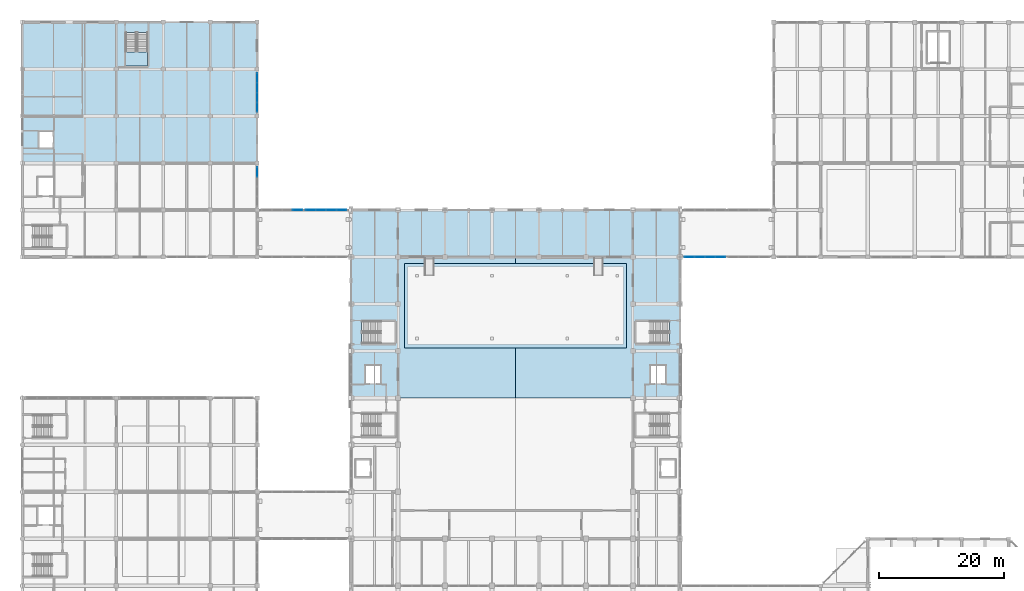
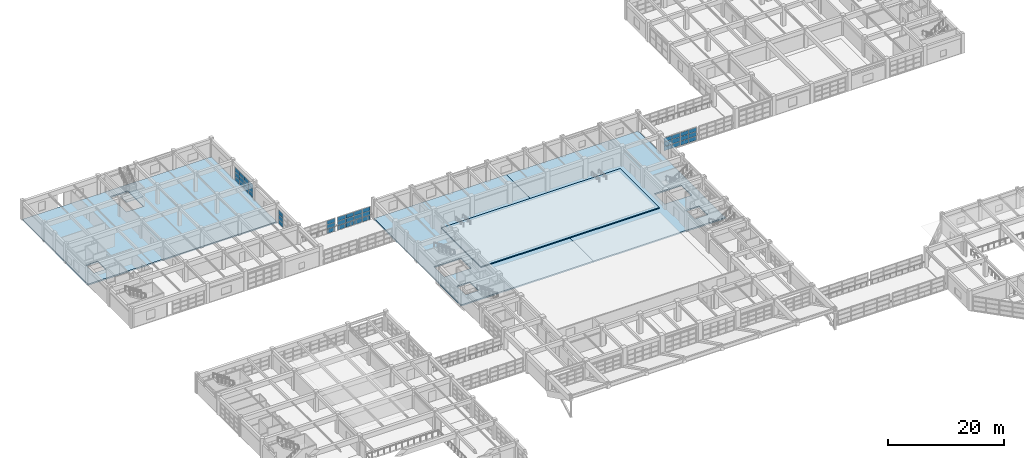
# One storey, part 89 of 132: 42 plates, 5 slabs, 6 elements without a shape of their own.
"""IFC4 building model written with IfcOpenShell, lengths in metres."""

from ifc_helpers import new_model, si_unit, direction, frame, origin, origin_2d, place, context, subcontext, project, spatial, polyline, rectangle, outline, extrude, material, layer, layer_set, type_object, element, aggregate, save


model = new_model("IFC4")

# Units and contexts
model_context = context("Model", 3, precision=1e-05, world=origin(), true_north=direction((0.0, 1.0)))
body_context = subcontext(model_context, "Body", "Model", "MODEL_VIEW")
ifc_project = project(units=[si_unit("LENGTHUNIT", "METRE"), si_unit("AREAUNIT", "SQUARE_METRE"), si_unit("VOLUMEUNIT", "CUBIC_METRE"), si_unit("PLANEANGLEUNIT", "RADIAN"), si_unit("MASSUNIT", "GRAM", prefix="KILO")], contexts=[model_context])

# Site, building, storey
site_placement = place(None, origin())
site = spatial("IfcSite", under=ifc_project, at=site_placement, CompositionType="ELEMENT")
building_placement = place(site_placement, origin())
building = spatial("IfcBuilding", under=site, at=building_placement, Name="Qasida Concert Hall", CompositionType="ELEMENT")
storey_placement = place(building_placement, frame((0.0, 0.0, 4.800048828125)))
storey = spatial("IfcBuildingStorey", under=building, at=storey_placement, Name="L01", CompositionType="ELEMENT", Elevation=4.800048828125)

# Curtain wall, plates
ifc_material_1 = material(Name="Architectural bronze-anodized aluminium and low-E glass", Category="aluminium")
curtain_wall_type = type_object("IfcCurtainWallType", Name="CW-08", PredefinedType="NOTDEFINED", material=ifc_material_1)
curtain_wall_1_placement = place(storey_placement, origin())
curtain_wall_1 = element("IfcCurtainWall", 1, at=curtain_wall_1_placement, inside=storey, type_object=curtain_wall_type, Name="L01 curtain wall CW-08 0186", PredefinedType="NOTDEFINED")
ifc_material_2 = material(Name="Solar-control low-E double glazing", Category="glass")
ifc_layer_1 = layer(ifc_material_2, 0.02392578125, Name="Solar-control low-E double glazing")
ifc_layer_set_1 = layer_set([ifc_layer_1], Name="Solar-control low-E double glazing")
plate_type = type_object("IfcPlateType", Name="PLT-CWP-5", PredefinedType="CURTAIN_PANEL", material=ifc_layer_set_1)
plate_1_placement = place(storey_placement, frame((37.5, 88.581298828125, 0.059814453125), z_axis=(0.0, 0.0, 1.0), x_axis=(0.0, 1.0, 0.0)))
plate_1 = element("IfcPlate", 2, at=plate_1_placement, type_object=plate_type, Name="CW-08 panel 4.1", PredefinedType="CURTAIN_PANEL", context=body_context, shape_type="SweptSolid", body=[
    extrude(rectangle(XDim=1.467529296875, YDim=0.02392578125, at=origin_2d()), origin(), (0.0, 0.0, 1.0), 0.90673828125),
])
plate_2_placement = place(storey_placement, frame((37.5, 88.581298828125, 1.026611328125), z_axis=(0.0, 0.0, 1.0), x_axis=(0.0, 1.0, 0.0)))
plate_2 = element("IfcPlate", 3, at=plate_2_placement, type_object=plate_type, Name="CW-08 panel 4.2", PredefinedType="CURTAIN_PANEL", context=body_context, shape_type="SweptSolid", body=[
    extrude(rectangle(XDim=1.467529296875, YDim=0.02392578125, at=origin_2d()), origin(), (0.0, 0.0, 1.0), 0.9365234375),
])
plate_3_placement = place(storey_placement, frame((37.5, 88.581298828125, 2.023193359375), z_axis=(0.0, 0.0, 1.0), x_axis=(0.0, 1.0, 0.0)))
plate_3 = element("IfcPlate", 4, at=plate_3_placement, type_object=plate_type, Name="CW-08 panel 4.3", PredefinedType="CURTAIN_PANEL", context=body_context, shape_type="SweptSolid", body=[
    extrude(rectangle(XDim=1.467529296875, YDim=0.02392578125, at=origin_2d()), origin(), (0.0, 0.0, 1.0), 0.90673828125),
])
aggregate(curtain_wall_1, [plate_1, plate_2, plate_3])

curtain_wall_2_placement = place(storey_placement, origin())
curtain_wall_2 = element("IfcCurtainWall", 5, at=curtain_wall_2_placement, inside=storey, type_object=curtain_wall_type, Name="L01 curtain wall CW-08 0187", PredefinedType="NOTDEFINED")
plate_4_placement = place(storey_placement, frame((37.5, 98.918701171875, 0.06005859375), z_axis=(0.0, 0.0, 1.0), x_axis=(0.0, 1.0, 0.0)))
plate_4 = element("IfcPlate", 6, at=plate_4_placement, type_object=plate_type, Name="CW-08 panel 1.1", PredefinedType="CURTAIN_PANEL", context=body_context, shape_type="SweptSolid", body=[
    extrude(rectangle(XDim=1.467529296875, YDim=0.02392578125, at=origin_2d()), origin(), (0.0, 0.0, 1.0), 0.856689453125),
])
plate_5_placement = place(storey_placement, frame((37.5, 98.918701171875, 0.9765625), z_axis=(0.0, 0.0, 1.0), x_axis=(0.0, 1.0, 0.0)))
plate_5 = element("IfcPlate", 7, at=plate_5_placement, type_object=plate_type, Name="CW-08 panel 1.2", PredefinedType="CURTAIN_PANEL", context=body_context, shape_type="SweptSolid", body=[
    extrude(rectangle(XDim=1.467529296875, YDim=0.02392578125, at=origin_2d()), origin(), (0.0, 0.0, 1.0), 0.88671875),
])
plate_6_placement = place(storey_placement, frame((37.5, 98.918701171875, 1.92333984375), z_axis=(0.0, 0.0, 1.0), x_axis=(0.0, 1.0, 0.0)))
plate_6 = element("IfcPlate", 8, at=plate_6_placement, type_object=plate_type, Name="CW-08 panel 1.3", PredefinedType="CURTAIN_PANEL", context=body_context, shape_type="SweptSolid", body=[
    extrude(rectangle(XDim=1.467529296875, YDim=0.02392578125, at=origin_2d()), origin(), (0.0, 0.0, 1.0), 0.856689453125),
])
plate_7_placement = place(storey_placement, frame((37.5, 100.467529296875, 0.06005859375), z_axis=(0.0, 0.0, 1.0), x_axis=(0.0, 1.0, 0.0)))
plate_7 = element("IfcPlate", 9, at=plate_7_placement, type_object=plate_type, Name="CW-08 panel 2.1", PredefinedType="CURTAIN_PANEL", context=body_context, shape_type="SweptSolid", body=[
    extrude(rectangle(XDim=1.5, YDim=0.02392578125, at=origin_2d()), origin(), (0.0, 0.0, 1.0), 0.856689453125),
])
plate_8_placement = place(storey_placement, frame((37.5, 100.467529296875, 0.9765625), z_axis=(0.0, 0.0, 1.0), x_axis=(0.0, 1.0, 0.0)))
plate_8 = element("IfcPlate", 10, at=plate_8_placement, type_object=plate_type, Name="CW-08 panel 2.2", PredefinedType="CURTAIN_PANEL", context=body_context, shape_type="SweptSolid", body=[
    extrude(rectangle(XDim=1.5, YDim=0.02392578125, at=origin_2d()), origin(), (0.0, 0.0, 1.0), 0.88671875),
])
plate_9_placement = place(storey_placement, frame((37.5, 100.467529296875, 1.92333984375), z_axis=(0.0, 0.0, 1.0), x_axis=(0.0, 1.0, 0.0)))
plate_9 = element("IfcPlate", 11, at=plate_9_placement, type_object=plate_type, Name="CW-08 panel 2.3", PredefinedType="CURTAIN_PANEL", context=body_context, shape_type="SweptSolid", body=[
    extrude(rectangle(XDim=1.5, YDim=0.02392578125, at=origin_2d()), origin(), (0.0, 0.0, 1.0), 0.856689453125),
])
plate_10_placement = place(storey_placement, frame((37.5, 102.032470703125, 0.06005859375), z_axis=(0.0, 0.0, 1.0), x_axis=(0.0, 1.0, 0.0)))
plate_10 = element("IfcPlate", 12, at=plate_10_placement, type_object=plate_type, Name="CW-08 panel 3.1", PredefinedType="CURTAIN_PANEL", context=body_context, shape_type="SweptSolid", body=[
    extrude(rectangle(XDim=1.5, YDim=0.02392578125, at=origin_2d()), origin(), (0.0, 0.0, 1.0), 0.856689453125),
])
plate_11_placement = place(storey_placement, frame((37.5, 102.032470703125, 0.9765625), z_axis=(0.0, 0.0, 1.0), x_axis=(0.0, 1.0, 0.0)))
plate_11 = element("IfcPlate", 13, at=plate_11_placement, type_object=plate_type, Name="CW-08 panel 3.2", PredefinedType="CURTAIN_PANEL", context=body_context, shape_type="SweptSolid", body=[
    extrude(rectangle(XDim=1.5, YDim=0.02392578125, at=origin_2d()), origin(), (0.0, 0.0, 1.0), 0.88671875),
])
plate_12_placement = place(storey_placement, frame((37.5, 102.032470703125, 1.92333984375), z_axis=(0.0, 0.0, 1.0), x_axis=(0.0, 1.0, 0.0)))
plate_12 = element("IfcPlate", 14, at=plate_12_placement, type_object=plate_type, Name="CW-08 panel 3.3", PredefinedType="CURTAIN_PANEL", context=body_context, shape_type="SweptSolid", body=[
    extrude(rectangle(XDim=1.5, YDim=0.02392578125, at=origin_2d()), origin(), (0.0, 0.0, 1.0), 0.856689453125),
])
plate_13_placement = place(storey_placement, frame((37.5, 103.581298828125, 0.06005859375), z_axis=(0.0, 0.0, 1.0), x_axis=(0.0, 1.0, 0.0)))
plate_13 = element("IfcPlate", 15, at=plate_13_placement, type_object=plate_type, Name="CW-08 panel 4.1", PredefinedType="CURTAIN_PANEL", context=body_context, shape_type="SweptSolid", body=[
    extrude(rectangle(XDim=1.467529296875, YDim=0.02392578125, at=origin_2d()), origin(), (0.0, 0.0, 1.0), 0.856689453125),
])
plate_14_placement = place(storey_placement, frame((37.5, 103.581298828125, 0.9765625), z_axis=(0.0, 0.0, 1.0), x_axis=(0.0, 1.0, 0.0)))
plate_14 = element("IfcPlate", 16, at=plate_14_placement, type_object=plate_type, Name="CW-08 panel 4.2", PredefinedType="CURTAIN_PANEL", context=body_context, shape_type="SweptSolid", body=[
    extrude(rectangle(XDim=1.467529296875, YDim=0.02392578125, at=origin_2d()), origin(), (0.0, 0.0, 1.0), 0.88671875),
])
plate_15_placement = place(storey_placement, frame((37.5, 103.581298828125, 1.92333984375), z_axis=(0.0, 0.0, 1.0), x_axis=(0.0, 1.0, 0.0)))
plate_15 = element("IfcPlate", 17, at=plate_15_placement, type_object=plate_type, Name="CW-08 panel 4.3", PredefinedType="CURTAIN_PANEL", context=body_context, shape_type="SweptSolid", body=[
    extrude(rectangle(XDim=1.467529296875, YDim=0.02392578125, at=origin_2d()), origin(), (0.0, 0.0, 1.0), 0.856689453125),
])
aggregate(curtain_wall_2, [plate_4, plate_5, plate_6, plate_7, plate_8, plate_9, plate_10, plate_11, plate_12, plate_13, plate_14, plate_15])

curtain_wall_3_placement = place(storey_placement, origin())
curtain_wall_3 = element("IfcCurtainWall", 18, at=curtain_wall_3_placement, inside=storey, type_object=curtain_wall_type, Name="L01 link bridge glazing 0215", PredefinedType="NOTDEFINED")
plate_16_placement = place(storey_placement, frame((43.958740234375, 82.5, 0.06005859375), z_axis=(0.0, 0.0, 1.0), x_axis=(1.0, 0.0, 0.0)))
plate_16 = element("IfcPlate", 19, at=plate_16_placement, type_object=plate_type, Name="CW-08 panel 4.1", PredefinedType="CURTAIN_PANEL", context=body_context, shape_type="SweptSolid", body=[
    extrude(rectangle(XDim=1.552490234375, YDim=0.02392578125, at=origin_2d()), origin(), (0.0, 0.0, 1.0), 0.860107421875),
])
plate_17_placement = place(storey_placement, frame((43.958740234375, 82.5, 0.97998046875), z_axis=(0.0, 0.0, 1.0), x_axis=(1.0, 0.0, 0.0)))
plate_17 = element("IfcPlate", 20, at=plate_17_placement, type_object=plate_type, Name="CW-08 panel 4.2", PredefinedType="CURTAIN_PANEL", context=body_context, shape_type="SweptSolid", body=[
    extrude(rectangle(XDim=1.552490234375, YDim=0.02392578125, at=origin_2d()), origin(), (0.0, 0.0, 1.0), 0.889892578125),
])
plate_18_placement = place(storey_placement, frame((43.958740234375, 82.5, 1.929931640625), z_axis=(0.0, 0.0, 1.0), x_axis=(1.0, 0.0, 0.0)))
plate_18 = element("IfcPlate", 21, at=plate_18_placement, type_object=plate_type, Name="CW-08 panel 4.3", PredefinedType="CURTAIN_PANEL", context=body_context, shape_type="SweptSolid", body=[
    extrude(rectangle(XDim=1.552490234375, YDim=0.02392578125, at=origin_2d()), origin(), (0.0, 0.0, 1.0), 0.81005859375),
])
aggregate(curtain_wall_3, [plate_16, plate_17, plate_18])

curtain_wall_4_placement = place(storey_placement, origin())
curtain_wall_4 = element("IfcCurtainWall", 22, at=curtain_wall_4_placement, inside=storey, type_object=curtain_wall_type, Name="L01 link bridge glazing 0217", PredefinedType="NOTDEFINED")
plate_19_placement = place(storey_placement, frame((46.041259765625, 82.5, 0.06005859375), z_axis=(0.0, 0.0, 1.0), x_axis=(1.0, 0.0, 0.0)))
plate_19 = element("IfcPlate", 23, at=plate_19_placement, type_object=plate_type, Name="CW-08 panel 1.1", PredefinedType="CURTAIN_PANEL", context=body_context, shape_type="SweptSolid", body=[
    extrude(rectangle(XDim=1.552490234375, YDim=0.02392578125, at=origin_2d()), origin(), (0.0, 0.0, 1.0), 0.860107421875),
])
plate_20_placement = place(storey_placement, frame((46.041259765625, 82.5, 0.97998046875), z_axis=(0.0, 0.0, 1.0), x_axis=(1.0, 0.0, 0.0)))
plate_20 = element("IfcPlate", 24, at=plate_20_placement, type_object=plate_type, Name="CW-08 panel 1.2", PredefinedType="CURTAIN_PANEL", context=body_context, shape_type="SweptSolid", body=[
    extrude(rectangle(XDim=1.552490234375, YDim=0.02392578125, at=origin_2d()), origin(), (0.0, 0.0, 1.0), 0.889892578125),
])
plate_21_placement = place(storey_placement, frame((46.041259765625, 82.5, 1.929931640625), z_axis=(0.0, 0.0, 1.0), x_axis=(1.0, 0.0, 0.0)))
plate_21 = element("IfcPlate", 25, at=plate_21_placement, type_object=plate_type, Name="CW-08 panel 1.3", PredefinedType="CURTAIN_PANEL", context=body_context, shape_type="SweptSolid", body=[
    extrude(rectangle(XDim=1.552490234375, YDim=0.02392578125, at=origin_2d()), origin(), (0.0, 0.0, 1.0), 0.81005859375),
])
plate_22_placement = place(storey_placement, frame((47.675048828125, 82.5, 0.06005859375), z_axis=(0.0, 0.0, 1.0), x_axis=(1.0, 0.0, 0.0)))
plate_22 = element("IfcPlate", 26, at=plate_22_placement, type_object=plate_type, Name="CW-08 panel 2.1", PredefinedType="CURTAIN_PANEL", context=body_context, shape_type="SweptSolid", body=[
    extrude(rectangle(XDim=1.5849609375, YDim=0.02392578125, at=origin_2d()), origin(), (0.0, 0.0, 1.0), 0.860107421875),
])
plate_23_placement = place(storey_placement, frame((47.675048828125, 82.5, 0.97998046875), z_axis=(0.0, 0.0, 1.0), x_axis=(1.0, 0.0, 0.0)))
plate_23 = element("IfcPlate", 27, at=plate_23_placement, type_object=plate_type, Name="CW-08 panel 2.2", PredefinedType="CURTAIN_PANEL", context=body_context, shape_type="SweptSolid", body=[
    extrude(rectangle(XDim=1.5849609375, YDim=0.02392578125, at=origin_2d()), origin(), (0.0, 0.0, 1.0), 0.889892578125),
])
plate_24_placement = place(storey_placement, frame((47.675048828125, 82.5, 1.929931640625), z_axis=(0.0, 0.0, 1.0), x_axis=(1.0, 0.0, 0.0)))
plate_24 = element("IfcPlate", 28, at=plate_24_placement, type_object=plate_type, Name="CW-08 panel 2.3", PredefinedType="CURTAIN_PANEL", context=body_context, shape_type="SweptSolid", body=[
    extrude(rectangle(XDim=1.5849609375, YDim=0.02392578125, at=origin_2d()), origin(), (0.0, 0.0, 1.0), 0.81005859375),
])
plate_25_placement = place(storey_placement, frame((49.324951171875, 82.5, 0.06005859375), z_axis=(0.0, 0.0, 1.0), x_axis=(1.0, 0.0, 0.0)))
plate_25 = element("IfcPlate", 29, at=plate_25_placement, type_object=plate_type, Name="CW-08 panel 3.1", PredefinedType="CURTAIN_PANEL", context=body_context, shape_type="SweptSolid", body=[
    extrude(rectangle(XDim=1.5849609375, YDim=0.02392578125, at=origin_2d()), origin(), (0.0, 0.0, 1.0), 0.860107421875),
])
plate_26_placement = place(storey_placement, frame((49.324951171875, 82.5, 0.97998046875), z_axis=(0.0, 0.0, 1.0), x_axis=(1.0, 0.0, 0.0)))
plate_26 = element("IfcPlate", 30, at=plate_26_placement, type_object=plate_type, Name="CW-08 panel 3.2", PredefinedType="CURTAIN_PANEL", context=body_context, shape_type="SweptSolid", body=[
    extrude(rectangle(XDim=1.5849609375, YDim=0.02392578125, at=origin_2d()), origin(), (0.0, 0.0, 1.0), 0.889892578125),
])
plate_27_placement = place(storey_placement, frame((49.324951171875, 82.5, 1.929931640625), z_axis=(0.0, 0.0, 1.0), x_axis=(1.0, 0.0, 0.0)))
plate_27 = element("IfcPlate", 31, at=plate_27_placement, type_object=plate_type, Name="CW-08 panel 3.3", PredefinedType="CURTAIN_PANEL", context=body_context, shape_type="SweptSolid", body=[
    extrude(rectangle(XDim=1.5849609375, YDim=0.02392578125, at=origin_2d()), origin(), (0.0, 0.0, 1.0), 0.81005859375),
])
plate_28_placement = place(storey_placement, frame((50.958740234375, 82.5, 0.06005859375), z_axis=(0.0, 0.0, 1.0), x_axis=(1.0, 0.0, 0.0)))
plate_28 = element("IfcPlate", 32, at=plate_28_placement, type_object=plate_type, Name="CW-08 panel 4.1", PredefinedType="CURTAIN_PANEL", context=body_context, shape_type="SweptSolid", body=[
    extrude(rectangle(XDim=1.552490234375, YDim=0.02392578125, at=origin_2d()), origin(), (0.0, 0.0, 1.0), 0.860107421875),
])
plate_29_placement = place(storey_placement, frame((50.958740234375, 82.5, 0.97998046875), z_axis=(0.0, 0.0, 1.0), x_axis=(1.0, 0.0, 0.0)))
plate_29 = element("IfcPlate", 33, at=plate_29_placement, type_object=plate_type, Name="CW-08 panel 4.2", PredefinedType="CURTAIN_PANEL", context=body_context, shape_type="SweptSolid", body=[
    extrude(rectangle(XDim=1.552490234375, YDim=0.02392578125, at=origin_2d()), origin(), (0.0, 0.0, 1.0), 0.889892578125),
])
plate_30_placement = place(storey_placement, frame((50.958740234375, 82.5, 1.929931640625), z_axis=(0.0, 0.0, 1.0), x_axis=(1.0, 0.0, 0.0)))
plate_30 = element("IfcPlate", 34, at=plate_30_placement, type_object=plate_type, Name="CW-08 panel 4.3", PredefinedType="CURTAIN_PANEL", context=body_context, shape_type="SweptSolid", body=[
    extrude(rectangle(XDim=1.552490234375, YDim=0.02392578125, at=origin_2d()), origin(), (0.0, 0.0, 1.0), 0.81005859375),
])
aggregate(curtain_wall_4, [plate_19, plate_20, plate_21, plate_22, plate_23, plate_24, plate_25, plate_26, plate_27, plate_28, plate_29, plate_30])

curtain_wall_5_placement = place(storey_placement, origin())
curtain_wall_5 = element("IfcCurtainWall", 35, at=curtain_wall_5_placement, inside=storey, type_object=curtain_wall_type, Name="L01 link bridge glazing 0226", PredefinedType="NOTDEFINED")
plate_31_placement = place(storey_placement, frame((106.541259765625, 75.0, 0.06005859375), z_axis=(0.0, 0.0, 1.0), x_axis=(1.0, 0.0, 0.0)))
plate_31 = element("IfcPlate", 36, at=plate_31_placement, type_object=plate_type, Name="CW-08 panel 1.1", PredefinedType="CURTAIN_PANEL", context=body_context, shape_type="SweptSolid", body=[
    extrude(rectangle(XDim=1.552490234375, YDim=0.02392578125, at=origin_2d()), origin(), (0.0, 0.0, 1.0), 0.860107421875),
])
plate_32_placement = place(storey_placement, frame((106.541259765625, 75.0, 0.97998046875), z_axis=(0.0, 0.0, 1.0), x_axis=(1.0, 0.0, 0.0)))
plate_32 = element("IfcPlate", 37, at=plate_32_placement, type_object=plate_type, Name="CW-08 panel 1.2", PredefinedType="CURTAIN_PANEL", context=body_context, shape_type="SweptSolid", body=[
    extrude(rectangle(XDim=1.552490234375, YDim=0.02392578125, at=origin_2d()), origin(), (0.0, 0.0, 1.0), 0.889892578125),
])
plate_33_placement = place(storey_placement, frame((106.541259765625, 75.0, 1.929931640625), z_axis=(0.0, 0.0, 1.0), x_axis=(1.0, 0.0, 0.0)))
plate_33 = element("IfcPlate", 38, at=plate_33_placement, type_object=plate_type, Name="CW-08 panel 1.3", PredefinedType="CURTAIN_PANEL", context=body_context, shape_type="SweptSolid", body=[
    extrude(rectangle(XDim=1.552490234375, YDim=0.02392578125, at=origin_2d()), origin(), (0.0, 0.0, 1.0), 0.81005859375),
])
plate_34_placement = place(storey_placement, frame((108.175048828125, 75.0, 0.06005859375), z_axis=(0.0, 0.0, 1.0), x_axis=(1.0, 0.0, 0.0)))
plate_34 = element("IfcPlate", 39, at=plate_34_placement, type_object=plate_type, Name="CW-08 panel 2.1", PredefinedType="CURTAIN_PANEL", context=body_context, shape_type="SweptSolid", body=[
    extrude(rectangle(XDim=1.5849609375, YDim=0.02392578125, at=origin_2d()), origin(), (0.0, 0.0, 1.0), 0.860107421875),
])
plate_35_placement = place(storey_placement, frame((108.175048828125, 75.0, 0.97998046875), z_axis=(0.0, 0.0, 1.0), x_axis=(1.0, 0.0, 0.0)))
plate_35 = element("IfcPlate", 40, at=plate_35_placement, type_object=plate_type, Name="CW-08 panel 2.2", PredefinedType="CURTAIN_PANEL", context=body_context, shape_type="SweptSolid", body=[
    extrude(rectangle(XDim=1.5849609375, YDim=0.02392578125, at=origin_2d()), origin(), (0.0, 0.0, 1.0), 0.889892578125),
])
plate_36_placement = place(storey_placement, frame((108.175048828125, 75.0, 1.929931640625), z_axis=(0.0, 0.0, 1.0), x_axis=(1.0, 0.0, 0.0)))
plate_36 = element("IfcPlate", 41, at=plate_36_placement, type_object=plate_type, Name="CW-08 panel 2.3", PredefinedType="CURTAIN_PANEL", context=body_context, shape_type="SweptSolid", body=[
    extrude(rectangle(XDim=1.5849609375, YDim=0.02392578125, at=origin_2d()), origin(), (0.0, 0.0, 1.0), 0.81005859375),
])
plate_37_placement = place(storey_placement, frame((109.824951171875, 75.0, 0.06005859375), z_axis=(0.0, 0.0, 1.0), x_axis=(1.0, 0.0, 0.0)))
plate_37 = element("IfcPlate", 42, at=plate_37_placement, type_object=plate_type, Name="CW-08 panel 3.1", PredefinedType="CURTAIN_PANEL", context=body_context, shape_type="SweptSolid", body=[
    extrude(rectangle(XDim=1.5849609375, YDim=0.02392578125, at=origin_2d()), origin(), (0.0, 0.0, 1.0), 0.860107421875),
])
plate_38_placement = place(storey_placement, frame((109.824951171875, 75.0, 0.97998046875), z_axis=(0.0, 0.0, 1.0), x_axis=(1.0, 0.0, 0.0)))
plate_38 = element("IfcPlate", 43, at=plate_38_placement, type_object=plate_type, Name="CW-08 panel 3.2", PredefinedType="CURTAIN_PANEL", context=body_context, shape_type="SweptSolid", body=[
    extrude(rectangle(XDim=1.5849609375, YDim=0.02392578125, at=origin_2d()), origin(), (0.0, 0.0, 1.0), 0.889892578125),
])
plate_39_placement = place(storey_placement, frame((109.824951171875, 75.0, 1.929931640625), z_axis=(0.0, 0.0, 1.0), x_axis=(1.0, 0.0, 0.0)))
plate_39 = element("IfcPlate", 44, at=plate_39_placement, type_object=plate_type, Name="CW-08 panel 3.3", PredefinedType="CURTAIN_PANEL", context=body_context, shape_type="SweptSolid", body=[
    extrude(rectangle(XDim=1.5849609375, YDim=0.02392578125, at=origin_2d()), origin(), (0.0, 0.0, 1.0), 0.81005859375),
])
plate_40_placement = place(storey_placement, frame((111.458740234375, 75.0, 0.06005859375), z_axis=(0.0, 0.0, 1.0), x_axis=(1.0, 0.0, 0.0)))
plate_40 = element("IfcPlate", 45, at=plate_40_placement, type_object=plate_type, Name="CW-08 panel 4.1", PredefinedType="CURTAIN_PANEL", context=body_context, shape_type="SweptSolid", body=[
    extrude(rectangle(XDim=1.552490234375, YDim=0.02392578125, at=origin_2d()), origin(), (0.0, 0.0, 1.0), 0.860107421875),
])
plate_41_placement = place(storey_placement, frame((111.458740234375, 75.0, 0.97998046875), z_axis=(0.0, 0.0, 1.0), x_axis=(1.0, 0.0, 0.0)))
plate_41 = element("IfcPlate", 46, at=plate_41_placement, type_object=plate_type, Name="CW-08 panel 4.2", PredefinedType="CURTAIN_PANEL", context=body_context, shape_type="SweptSolid", body=[
    extrude(rectangle(XDim=1.552490234375, YDim=0.02392578125, at=origin_2d()), origin(), (0.0, 0.0, 1.0), 0.889892578125),
])
plate_42_placement = place(storey_placement, frame((111.458740234375, 75.0, 1.929931640625), z_axis=(0.0, 0.0, 1.0), x_axis=(1.0, 0.0, 0.0)))
plate_42 = element("IfcPlate", 47, at=plate_42_placement, type_object=plate_type, Name="CW-08 panel 4.3", PredefinedType="CURTAIN_PANEL", context=body_context, shape_type="SweptSolid", body=[
    extrude(rectangle(XDim=1.552490234375, YDim=0.02392578125, at=origin_2d()), origin(), (0.0, 0.0, 1.0), 0.81005859375),
])
aggregate(curtain_wall_5, [plate_31, plate_32, plate_33, plate_34, plate_35, plate_36, plate_37, plate_38, plate_39, plate_40, plate_41, plate_42])

# Slabs
ifc_material_3 = material(Name="Concrete C40/50", Category="concrete")
ifc_layer_2 = layer(ifc_material_3, 0.2099609375, Name="Concrete C40/50")
ifc_layer_set_2 = layer_set([ifc_layer_2], Name="Concrete C40/50")
slab_type_1 = type_object("IfcSlabType", Name="SL-FS-210", PredefinedType="FLOOR", material=ifc_layer_set_2)
slab_1_placement = place(storey_placement, origin())
element("IfcSlab", 48, at=slab_1_placement, inside=storey, type_object=slab_type_1, Name="L01 Concert platform floating box-in-box slab", PredefinedType="FLOOR", context=body_context, shape_type="SweptSolid", body=[
    extrude(outline(polyline([(61.0, 60.5), (96.5, 60.5), (96.5, 74.0), (61.0, 74.0), (61.0, 60.5)])), origin(), (0.0, 0.0, 1.0), 0.2099609375),
])
ifc_layer_3 = layer(ifc_material_3, 0.280029296875, Name="Concrete C40/50")
ifc_layer_set_3 = layer_set([ifc_layer_3], Name="Concrete C40/50")
slab_type_2 = type_object("IfcSlabType", Name="SL-FS-280", PredefinedType="FLOOR", material=ifc_layer_set_3)
slab_2_placement = place(storey_placement, frame((0.0, 0.0, -0.280029296875)))
element("IfcSlab", 49, at=slab_2_placement, inside=storey, type_object=slab_type_2, Name="V1 platform north-west (FS-280)", PredefinedType="FLOOR", context=body_context, shape_type="SweptSolid", body=[
    extrude(outline(polyline([(52.5, 52.5), (78.75, 52.5), (78.75, 82.5), (52.5, 82.5), (52.5, 52.5)]), holes=[polyline([(54.699951171875, 54.75), (57.300048828125, 54.75), (57.300048828125, 57.75), (54.699951171875, 57.75), (54.699951171875, 54.75)]), polyline([(54.18994140625, 61.199951171875), (59.52001953125, 61.199951171875), (59.52001953125, 64.760009765625), (54.18994140625, 64.760009765625), (54.18994140625, 61.199951171875)])]), origin(), (0.0, 0.0, 1.0), 0.280029296875),
])
slab_3_placement = place(storey_placement, frame((0.0, 0.0, -0.280029296875)))
element("IfcSlab", 50, at=slab_3_placement, inside=storey, type_object=slab_type_2, Name="V1 platform north-east (FS-280)", PredefinedType="FLOOR", context=body_context, shape_type="SweptSolid", body=[
    extrude(outline(polyline([(78.75, 52.5), (105.0, 52.5), (105.0, 82.5), (78.75, 82.5), (78.75, 52.5)]), holes=[polyline([(100.199951171875, 54.75), (102.800048828125, 54.75), (102.800048828125, 57.75), (100.199951171875, 57.75), (100.199951171875, 54.75)]), polyline([(97.97998046875, 61.199951171875), (103.31005859375, 61.199951171875), (103.31005859375, 64.760009765625), (97.97998046875, 64.760009765625), (97.97998046875, 61.199951171875)])]), origin(), (0.0, 0.0, 1.0), 0.280029296875),
])
slab_4_placement = place(storey_placement, frame((0.0, 0.0, -0.280029296875)))
element("IfcSlab", 51, at=slab_4_placement, inside=storey, type_object=slab_type_2, Name="V5 chorus dressing north (FS-280)", PredefinedType="FLOOR", context=body_context, shape_type="SweptSolid", body=[
    extrude(outline(polyline([(0.0, 90.0), (37.5, 90.0), (37.5, 112.5), (0.0, 112.5), (0.0, 90.0)]), holes=[polyline([(2.550048828125, 92.35009765625), (4.949951171875, 92.35009765625), (4.949951171875, 95.14990234375), (2.550048828125, 95.14990234375), (2.550048828125, 92.35009765625)]), polyline([(16.5, 105.47998046875), (20.0, 105.47998046875), (20.0, 110.840087890625), (16.5, 110.840087890625), (16.5, 105.47998046875)])]), origin(), (0.0, 0.0, 1.0), 0.280029296875),
])

# Stair, slab
stair_type = type_object("IfcStairType", Name="ST-DL-165", PredefinedType="HALF_TURN_STAIR", material=ifc_material_3)
stair_placement = place(storey_placement, origin())
stair = element("IfcStair", 52, at=stair_placement, inside=storey, type_object=stair_type, Name="L01 Exit stair ST-06", PredefinedType="HALF_TURN_STAIR")
ifc_layer_4 = layer(ifc_material_3, 0.199951171875, Name="Concrete C40/50")
ifc_layer_set_4 = layer_set([ifc_layer_4], Name="Concrete C40/50")
slab_type_3 = type_object("IfcSlabType", Name="SL-LND-200", PredefinedType="LANDING", material=ifc_layer_set_4)
slab_5_placement = place(storey_placement, frame((0.0, 0.0, 1.89990234375)))
slab_5 = element("IfcSlab", 53, at=slab_5_placement, type_object=slab_type_3, Name="ST-06 landing 1", PredefinedType="LANDING", context=body_context, shape_type="SweptSolid", body=[
    extrude(outline(polyline([(16.5, 107.77001953125), (16.5, 105.47998046875), (20.0, 105.47998046875), (20.0, 107.77001953125), (16.5, 107.77001953125)])), origin(), (0.0, 0.0, 1.0), 0.199951171875),
])
aggregate(stair, [slab_5])

save(model, "model.ifc")
